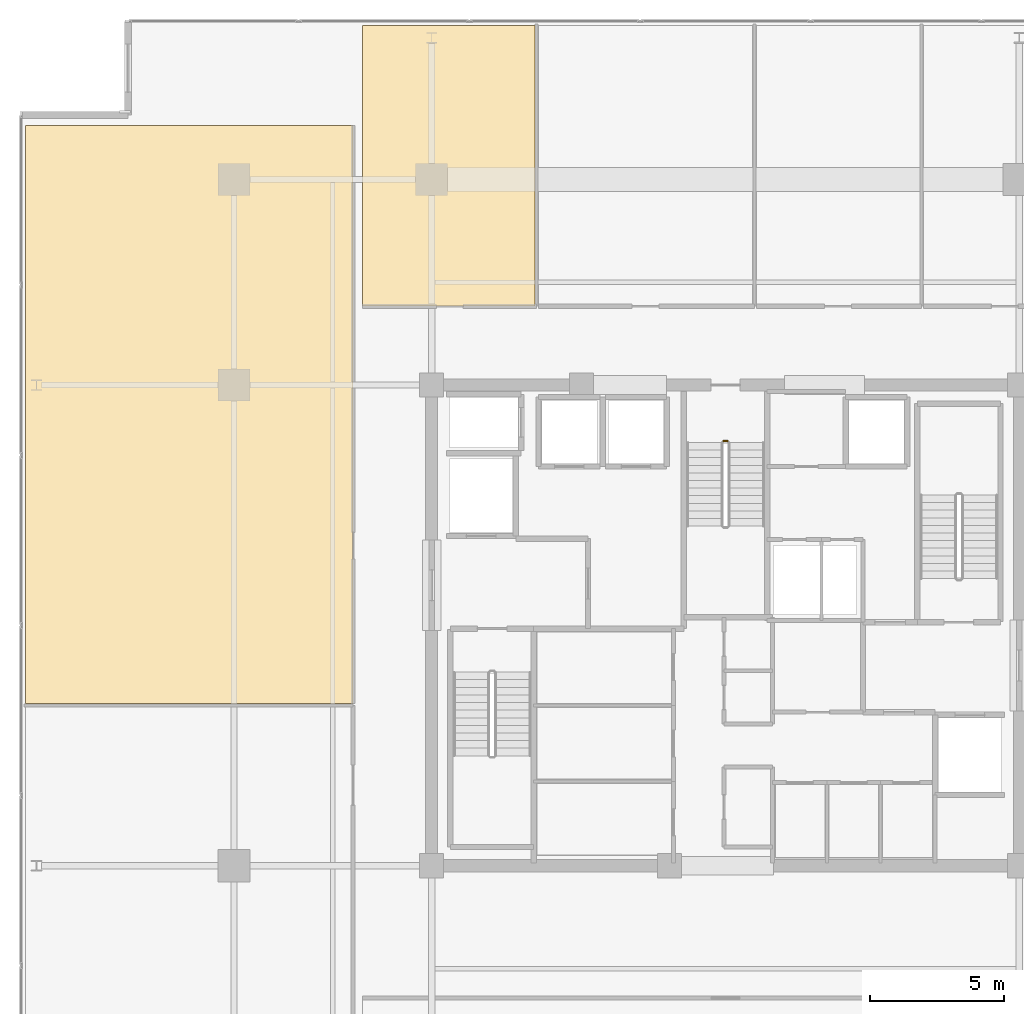
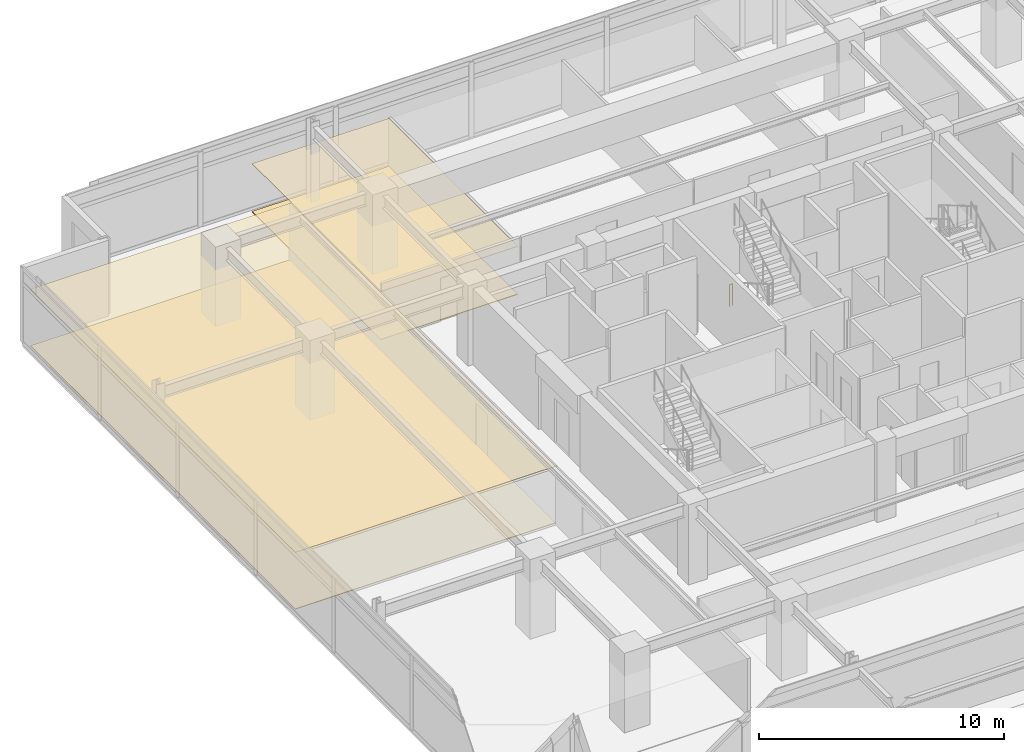
# One storey, part 23 of 24: 4 coverings, 1 railing.
"""IFC4 building model written with IfcOpenShell, lengths in metres."""

from ifc_helpers import new_model, si_unit, direction, frame, origin, origin_2d, place, context, subcontext, project, spatial, polyline, circle, outline, extrude, material, layer, layer_set, type_object, element, save


model = new_model("IFC4")

# Units and contexts
model_context = context("Model", 3, precision=1e-05, world=origin(), true_north=direction((0.0, 1.0)))
body_context = subcontext(model_context, "Body", "Model", "MODEL_VIEW")
ifc_project = project(units=[si_unit("LENGTHUNIT", "METRE"), si_unit("AREAUNIT", "SQUARE_METRE"), si_unit("VOLUMEUNIT", "CUBIC_METRE"), si_unit("PLANEANGLEUNIT", "RADIAN"), si_unit("MASSUNIT", "GRAM", prefix="KILO")], contexts=[model_context])

# Site, building, storey
site_placement = place(None, origin())
site = spatial("IfcSite", under=ifc_project, at=site_placement, CompositionType="ELEMENT")
building_placement = place(site_placement, origin())
building = spatial("IfcBuilding", under=site, at=building_placement, Name="Kovane Verandah Tower", CompositionType="ELEMENT")
storey_placement = place(building_placement, frame((0.0, 0.0, 259.199951171875)))
storey = spatial("IfcBuildingStorey", under=building, at=storey_placement, Name="L60", CompositionType="ELEMENT", Elevation=259.199951171875)

# Coverings
ifc_material_1 = material(Name="Perforated Acoustic Mineral-Fibre Ceiling Tile", Category="gypsum")
ifc_layer_1 = layer(ifc_material_1, 0.02490234375)
ifc_layer_set_1 = layer_set([ifc_layer_1], Name="Perforated Acoustic Mineral-Fibre Ceiling Tile")
covering_type_1 = type_object("IfcCoveringType", Name="CV-CEIL-25", PredefinedType="CEILING", material=ifc_layer_set_1)
covering_1_placement = place(storey_placement, frame((0.0, 0.0, 2.39013671875)))
element("IfcCovering", 1, at=covering_1_placement, inside=storey, type_object=covering_type_1, Name="L60 Breakout Pantry N1 Acoustic Ceiling", PredefinedType="CEILING", context=body_context, shape_type="SweptSolid", body=[
    extrude(outline(polyline([(26.39990234375, 39.449951171875), (32.85791015625, 39.449951171875), (32.85791015625, 49.96826171875), (26.39990234375, 49.96826171875), (26.39990234375, 39.449951171875)])), origin(), (0.0, 0.0, 1.0), 0.02490234375),
])
covering_2_placement = place(storey_placement, frame((0.0, 0.0, 2.824951171875)))
element("IfcCovering", 2, at=covering_2_placement, inside=storey, type_object=covering_type_1, Name="L60 Meeting Room W2 Acoustic Ceiling", PredefinedType="CEILING", context=body_context, shape_type="SweptSolid", body=[
    extrude(outline(polyline([(13.783447265625, 24.5751953125), (26.050048828125, 24.5751953125), (26.050048828125, 46.21826171875), (13.783447265625, 46.21826171875), (13.783447265625, 24.5751953125)])), origin(), (0.0, 0.0, 1.0), 0.025146484375),
])
ifc_material_2 = material(Name="Polished Terrazzo and Raised-Access Carpet Tile Finish", Category="concrete")
ifc_layer_2 = layer(ifc_material_2, 0.030029296875)
ifc_layer_set_2 = layer_set([ifc_layer_2], Name="Polished Terrazzo and Raised-Access Carpet Tile Finish")
covering_type_2 = type_object("IfcCoveringType", Name="CV-FLOR-30", PredefinedType="FLOORING", material=ifc_layer_set_2)
covering_3_placement = place(storey_placement, origin())
element("IfcCovering", 3, at=covering_3_placement, inside=storey, type_object=covering_type_2, Name="L60 Breakout Pantry N1 Floor Finish", PredefinedType="FLOORING", context=body_context, shape_type="SweptSolid", body=[
    extrude(outline(polyline([(26.39990234375, 39.449951171875), (32.85791015625, 39.449951171875), (32.85791015625, 49.96826171875), (26.39990234375, 49.96826171875), (26.39990234375, 39.449951171875)])), origin(), (0.0, 0.0, 1.0), 0.030029296875),
])
covering_4_placement = place(storey_placement, origin())
element("IfcCovering", 4, at=covering_4_placement, inside=storey, type_object=covering_type_2, Name="L60 Meeting Room W2 Floor Finish", PredefinedType="FLOORING", context=body_context, shape_type="SweptSolid", body=[
    extrude(outline(polyline([(13.783447265625, 24.5751953125), (26.050048828125, 24.5751953125), (26.050048828125, 46.21826171875), (13.783447265625, 46.21826171875), (13.783447265625, 24.5751953125)])), origin(), (0.0, 0.0, 1.0), 0.030029296875),
])

# Railing
ifc_material_3 = material(Name="Painted Steel Stairwell Guardrail", Category="steel")
railing_type = type_object("IfcRailingType", Name="RL-STGUARD-1120", PredefinedType="GUARDRAIL", material=ifc_material_3)
railing_placement = place(storey_placement, frame((39.919921875, 34.39990234375, 0.0)))
element("IfcRailing", 5, at=railing_placement, inside=storey, type_object=railing_type, Name="L60 ST-03 stair guard 4", PredefinedType="GUARDRAIL", context=body_context, shape_type="SweptSolid", body=[
    extrude(circle(Radius=0.02392578125, at=origin_2d()), frame((0.0, 0.0, 1.076171875), z_axis=(1.0, 0.0, 0.0), x_axis=(0.0, 1.0, 0.0)), (0.0, 0.0, 1.0), 0.16015625),
    extrude(circle(Radius=0.02099609375, at=origin_2d()), origin(), (0.0, 0.0, 1.0), 1.052001953125),
    extrude(circle(Radius=0.02099609375, at=origin_2d()), frame((0.16015625, 0.0, 0.0)), (0.0, 0.0, 1.0), 1.052001953125),
])

save(model, "model.ifc")
